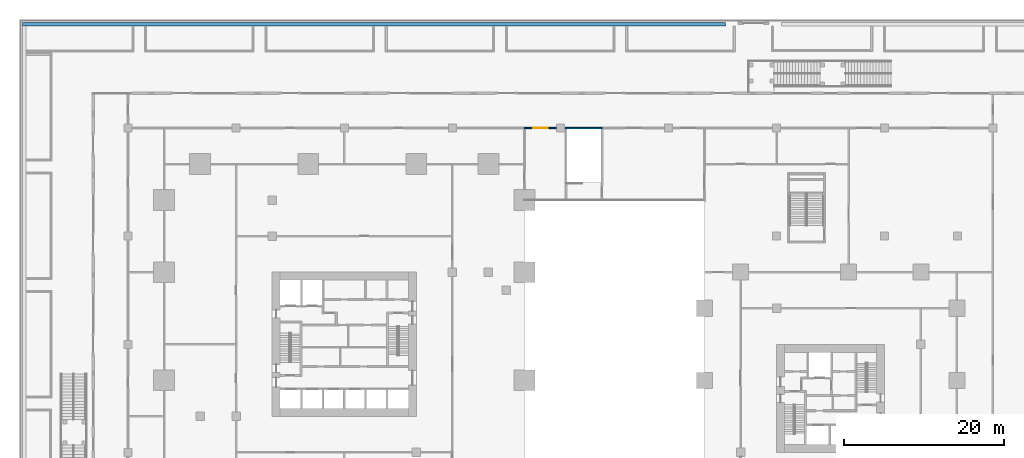
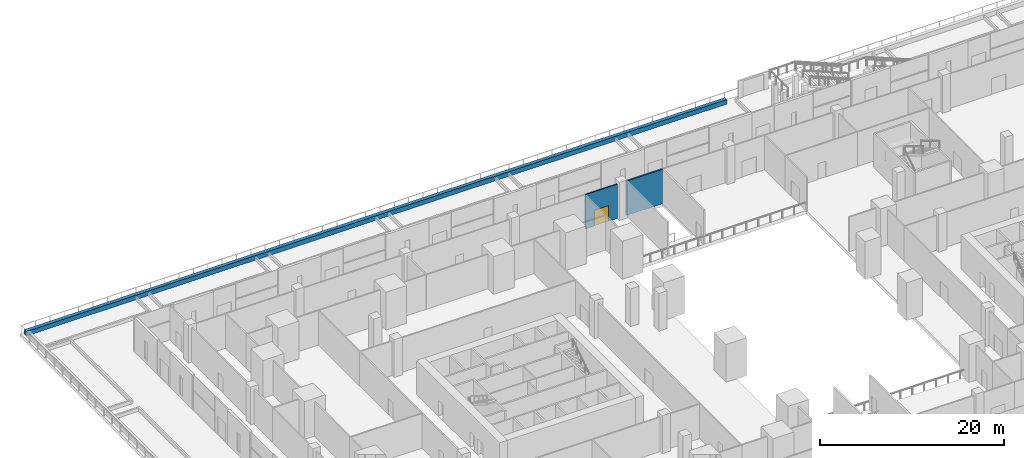
# One storey, part 39 of 49: 3 walls, 1 door, 1 opening.
"""IFC4 building model written with IfcOpenShell, lengths in metres."""

from ifc_helpers import new_model, si_unit, direction, frame, frame_2d, origin, place, context, subcontext, project, spatial, rectangle, extrude, material, layer, layer_set, type_object, element, fill, save


model = new_model("IFC4")

# Units and contexts
model_context = context("Model", 3, precision=1e-05, world=origin(), true_north=direction((0.0, 1.0)))
body_context = subcontext(model_context, "Body", "Model", "MODEL_VIEW")
ifc_project = project(units=[si_unit("LENGTHUNIT", "METRE"), si_unit("AREAUNIT", "SQUARE_METRE"), si_unit("VOLUMEUNIT", "CUBIC_METRE"), si_unit("PLANEANGLEUNIT", "RADIAN"), si_unit("MASSUNIT", "GRAM", prefix="KILO")], contexts=[model_context])

# Site, building, storey
site_placement = place(None, origin())
site = spatial("IfcSite", under=ifc_project, at=site_placement, CompositionType="ELEMENT")
building_placement = place(site_placement, origin())
building = spatial("IfcBuilding", under=site, at=building_placement, Name="Altepetl Exchange Towers", CompositionType="ELEMENT")
storey_placement = place(building_placement, frame((0.0, 0.0, 11.5)))
storey = spatial("IfcBuildingStorey", under=building, at=storey_placement, Name="L02 Exchange podium", CompositionType="ELEMENT", Elevation=11.5)

# Wall
ifc_material_1 = material(Name="Concrete C30/37", Category="concrete")
ifc_layer_1 = layer(ifc_material_1, 0.449951171875)
ifc_layer_set_1 = layer_set([ifc_layer_1], Name="Concrete C30/37")
wall_type_1 = type_object("IfcWallType", Name="Planter wall 450 concrete", PredefinedType="SOLIDWALL", material=ifc_layer_set_1)
wall_1_placement = place(storey_placement, frame((97.107421875, 89.449951171875, 0.0), z_axis=(0.0, 0.0, 1.0), x_axis=(-1.0, 0.0, 0.0)))
element("IfcWall", 1, at=wall_1_placement, inside=storey, type_object=wall_type_1, Name="Planter bed wall", PredefinedType="SOLIDWALL", context=body_context, shape_type="SweptSolid", body=[
    extrude(rectangle(XDim=87.782470703125, YDim=0.449951171875, at=frame_2d((43.89111328125, 0.0))), origin(), (0.0, 0.0, 1.0), 0.60009765625),
])

# Wall, opening, door
ifc_material_2 = material(Name="Gypsum board on steel studs", Category="steel")
ifc_layer_2 = layer(ifc_material_2, 0.14990234375)
ifc_layer_set_2 = layer_set([ifc_layer_2], Name="Gypsum board on steel studs")
wall_type_2 = type_object("IfcWallType", Name="Podium partition 150", PredefinedType="PARTITIONING", material=ifc_layer_set_2)
wall_2_placement = place(storey_placement, frame((72.0, 76.5, 0.0)))
wall_2 = element("IfcWall", 2, at=wall_2_placement, inside=storey, type_object=wall_type_2, Name="wall:P:L02:P041", PredefinedType="PARTITIONING", context=body_context, shape_type="SweptSolid", body=[
    extrude(rectangle(XDim=4.0048828125, YDim=0.14990234375, at=frame_2d((2.00244140625, 0.0))), origin(), (0.0, 0.0, 1.0), 4.550048828125),
])
opening_placement = place(wall_2_placement, frame((1.10009765625, 0.0, 0.0)))
opening = element("IfcOpeningElement", 3, at=opening_placement, cuts=wall_2, Name="Opening L02.P037", PredefinedType="OPENING", context=body_context, shape_type="SweptSolid", body=[
    extrude(rectangle(XDim=1.800048828125, YDim=2.10009765625, at=frame_2d((0.89990234375, 1.050048828125))), frame((0.0, 0.0849609375, 0.0), z_axis=(0.0, -1.0, 0.0), x_axis=(1.0, 0.0, 0.0)), (0.0, 0.0, 1.0), 0.169921875),
])
ifc_material_3 = material(Name="Glazed aluminium and steel", Category="steel")
door_type = type_object("IfcDoorType", Name="Podium fire door 1800 x 2100 double leaf", OperationType="DOUBLE_DOOR_SINGLE_SWING", PredefinedType="DOOR", material=ifc_material_3)
door_placement = place(opening_placement, frame((1.800048828125, 0.0, 0.0), x_axis=(-1.0, 0.0, 0.0)))
door = element("IfcDoor", 4, at=door_placement, inside=storey, type_object=door_type, Name="door:P:L02:037", OperationType="DOUBLE_DOOR_SINGLE_SWING", OverallHeight=2.10009765625, OverallWidth=1.800048828125, PredefinedType="DOOR", context=body_context, shape_type="SweptSolid", body=[
    extrude(rectangle(XDim=1.800048828125, YDim=2.10009765625, at=frame_2d((0.89990234375, 1.050048828125))), frame((0.0, 0.02490234375, 0.0), z_axis=(0.0, -1.0, 0.0), x_axis=(1.0, 0.0, 0.0)), (0.0, 0.0, 1.0), 0.050048828125),
])
fill(opening, door)

# Wall
ifc_material_4 = material(Name="Reinforced concrete C35/45", Category="concrete")
ifc_layer_3 = layer(ifc_material_4, 0.199951171875)
ifc_layer_set_3 = layer_set([ifc_layer_3], Name="Reinforced concrete C35/45")
wall_type_3 = type_object("IfcWallType", Name="Stair enclosure wall 200", PredefinedType="SOLIDWALL", material=ifc_layer_set_3)
wall_3_placement = place(storey_placement, frame((77.10009765625, 76.5, 0.0)))
element("IfcWall", 5, at=wall_3_placement, inside=storey, type_object=wall_type_3, Name="wall:P:L02:P042", PredefinedType="SOLIDWALL", context=body_context, shape_type="SweptSolid", body=[
    extrude(rectangle(XDim=4.599853515625, YDim=0.199951171875, at=frame_2d((2.2998046875, 0.0))), origin(), (0.0, 0.0, 1.0), 4.550048828125),
])

save(model, "model.ifc")
